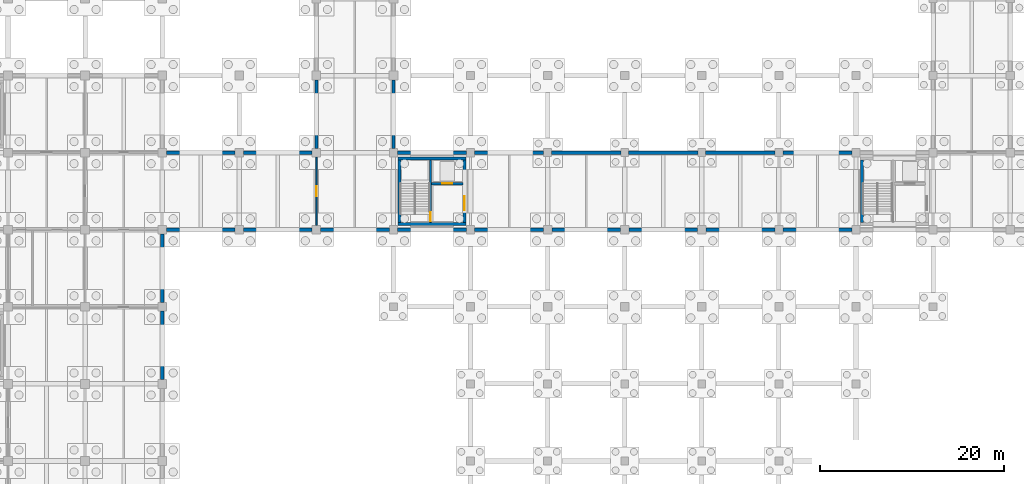
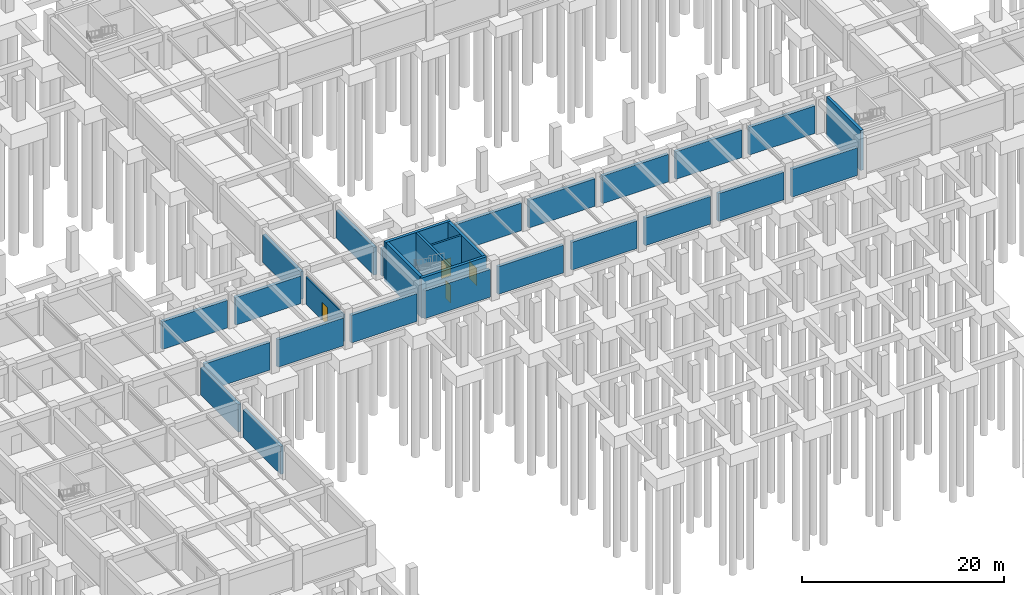
# One storey, part 19 of 29: 29 walls, 4 doors, 4 openings.
"""IFC4 building model written with IfcOpenShell, lengths in metres."""

from ifc_helpers import new_model, si_unit, direction, frame, frame_2d, origin, place, context, subcontext, project, spatial, rectangle, extrude, material, layer, layer_set, type_object, element, fill, save


model = new_model("IFC4")

# Units and contexts
model_context = context("Model", 3, precision=1e-05, world=origin(), true_north=direction((0.0, 1.0)))
body_context = subcontext(model_context, "Body", "Model", "MODEL_VIEW")
ifc_project = project(units=[si_unit("LENGTHUNIT", "METRE"), si_unit("AREAUNIT", "SQUARE_METRE"), si_unit("VOLUMEUNIT", "CUBIC_METRE"), si_unit("PLANEANGLEUNIT", "RADIAN"), si_unit("MASSUNIT", "GRAM", prefix="KILO")], contexts=[model_context])

# Site, building, storey
site_placement = place(None, origin())
site = spatial("IfcSite", under=ifc_project, at=site_placement, CompositionType="ELEMENT")
building_placement = place(site_placement, origin())
building = spatial("IfcBuilding", under=site, at=building_placement, Name="Porcellanite Civic Hall", CompositionType="ELEMENT")
storey_placement = place(building_placement, frame((0.0, 0.0, -4.5)))
storey = spatial("IfcBuildingStorey", under=building, at=storey_placement, Name="B1", CompositionType="ELEMENT", Elevation=-4.5)

# Wall, opening, door
ifc_material_1 = material(Name="Concrete N40 (40 MPa)", Category="concrete")
ifc_layer_1 = layer(ifc_material_1, 0.239990234375)
ifc_layer_set_1 = layer_set([ifc_layer_1], Name="Concrete N40 (40 MPa)")
wall_type_1 = type_object("IfcWallType", Name="CW-SH240", PredefinedType="SHEAR", material=ifc_layer_set_1)
wall_1_placement = place(storey_placement, frame((62.840087890625, 51.2099609375, -0.35009765625), z_axis=(0.0, 0.0, 1.0), x_axis=(0.0, 1.0, 0.0)))
wall_1 = element("IfcWall", 1, at=wall_1_placement, inside=storey, type_object=wall_type_1, Name="Core divider C5 B1", PredefinedType="SHEAR", context=body_context, shape_type="SweptSolid", body=[
    extrude(rectangle(XDim=6.780029296875, YDim=0.239990234375, at=frame_2d((3.39013671875, 0.0))), origin(), (0.0, 0.0, 1.0), 4.85009765625),
])
opening_1_placement = place(wall_1_placement, frame((0.1201171875, 0.0, 0.35009765625)))
opening_1 = element("IfcOpeningElement", 2, at=opening_1_placement, cuts=wall_1, Name="Opening FD-C5-B1-ST", PredefinedType="OPENING", context=body_context, shape_type="SweptSolid", body=[
    extrude(rectangle(XDim=1.0, YDim=2.14990234375, at=frame_2d((0.5, 1.074951171875))), frame((0.0, 0.1201171875, 0.0), z_axis=(0.0, -1.0, 0.0), x_axis=(1.0, 0.0, 0.0)), (0.0, 0.0, 1.0), 0.239990234375),
])
ifc_material_2 = material(Name="Fire-rated solid-core hardwood timber", Category="wood")
door_type_1 = type_object("IfcDoorType", Name="DR-FD100", OperationType="NOTDEFINED", PredefinedType="DOOR", material=ifc_material_2)
door_1_placement = place(opening_1_placement, origin())
door_1 = element("IfcDoor", 3, at=door_1_placement, inside=storey, type_object=door_type_1, Name="Fire stair door FD-C5-B1-ST", OperationType="SINGLE_SWING_RIGHT", OverallHeight=2.14990234375, OverallWidth=1.0, PredefinedType="DOOR", context=body_context, shape_type="SweptSolid", body=[
    extrude(rectangle(XDim=1.0, YDim=2.14990234375, at=frame_2d((0.5, 1.074951171875))), frame((0.0, 0.02490234375, 0.0), z_axis=(0.0, -1.0, 0.0), x_axis=(1.0, 0.0, 0.0)), (0.0, 0.0, 1.0), 0.050048828125),
])
fill(opening_1, door_1)

wall_2_placement = place(storey_placement, frame((62.9599609375, 55.419921875, -0.35009765625), z_axis=(0.0, 0.0, 1.0), x_axis=(1.0, 0.0, 0.0)))
wall_2 = element("IfcWall", 4, at=wall_2_placement, inside=storey, type_object=wall_type_1, Name="Lift shaft wall C5 B1", PredefinedType="SHEAR", context=body_context, shape_type="SweptSolid", body=[
    extrude(rectangle(XDim=3.429931640625, YDim=0.239990234375, at=frame_2d((1.71484375, 0.0))), origin(), (0.0, 0.0, 1.0), 4.85009765625),
])
opening_2_placement = place(wall_2_placement, frame((1.1650390625, 0.0, 0.35009765625)))
opening_2 = element("IfcOpeningElement", 5, at=opening_2_placement, cuts=wall_2, Name="Opening LD-05", PredefinedType="OPENING", context=body_context, shape_type="SweptSolid", body=[
    extrude(rectangle(XDim=1.10009765625, YDim=2.14990234375, at=frame_2d((0.550048828125, 1.074951171875))), frame((0.0, 0.1201171875, 0.0), z_axis=(0.0, -1.0, 0.0), x_axis=(1.0, 0.0, 0.0)), (0.0, 0.0, 1.0), 0.239990234375),
])
ifc_material_3 = material(Name="Brushed stainless steel 316", Category="steel")
door_type_2 = type_object("IfcDoorType", Name="DR-LD110", OperationType="DOUBLE_DOOR_SLIDING", PredefinedType="DOOR", material=ifc_material_3)
door_2_placement = place(opening_2_placement, origin())
door_2 = element("IfcDoor", 6, at=door_2_placement, inside=storey, type_object=door_type_2, Name="Lift landing sliding door LD-05 B1", OperationType="DOUBLE_DOOR_SLIDING", OverallHeight=2.14990234375, OverallWidth=1.10009765625, PredefinedType="DOOR", context=body_context, shape_type="SweptSolid", body=[
    extrude(rectangle(XDim=1.10009765625, YDim=2.14990234375, at=frame_2d((0.550048828125, 1.074951171875))), frame((0.0, 0.02490234375, 0.0), z_axis=(0.0, -1.0, 0.0), x_axis=(1.0, 0.0, 0.0)), (0.0, 0.0, 1.0), 0.050048828125),
])
fill(opening_2, door_2)

# Walls
ifc_material_4 = material(Name="Concrete N40 (40 MPa)", Category="concrete")
ifc_layer_2 = layer(ifc_material_4, 0.330078125)
ifc_layer_set_2 = layer_set([ifc_layer_2], Name="Concrete N40 (40 MPa)")
wall_type_2 = type_object("IfcWallType", Name="CW-SH330", PredefinedType="SHEAR", material=ifc_layer_set_2)
wall_3_placement = place(storey_placement, frame((66.719970703125, 51.044921875, -0.35009765625), z_axis=(0.0, 0.0, 1.0), x_axis=(-1.0, 0.0, 0.0)))
element("IfcWall", 7, at=wall_3_placement, inside=storey, type_object=wall_type_2, Name="Core wall C5 B1 S", PredefinedType="SHEAR", context=body_context, shape_type="SweptSolid", body=[
    extrude(rectangle(XDim=7.43994140625, YDim=0.330078125, at=frame_2d((3.719970703125, 0.0))), origin(), (0.0, 0.0, 1.0), 4.85009765625),
])
wall_4_placement = place(storey_placement, frame((59.445068359375, 51.2099609375, -0.35009765625), z_axis=(0.0, 0.0, 1.0), x_axis=(0.0, 1.0, 0.0)))
element("IfcWall", 8, at=wall_4_placement, inside=storey, type_object=wall_type_2, Name="Core wall C5 B1 W", PredefinedType="SHEAR", context=body_context, shape_type="SweptSolid", body=[
    extrude(rectangle(XDim=6.780029296875, YDim=0.330078125, at=frame_2d((3.39013671875, 0.0))), origin(), (0.0, 0.0, 1.0), 4.85009765625),
])
wall_5_placement = place(storey_placement, frame((59.280029296875, 58.155029296875, -0.35009765625), z_axis=(0.0, 0.0, 1.0), x_axis=(1.0, 0.0, 0.0)))
element("IfcWall", 9, at=wall_5_placement, inside=storey, type_object=wall_type_2, Name="Core wall C5 B1 N", PredefinedType="SHEAR", context=body_context, shape_type="SweptSolid", body=[
    extrude(rectangle(XDim=7.43994140625, YDim=0.330078125, at=frame_2d((3.719970703125, 0.0))), origin(), (0.0, 0.0, 1.0), 4.85009765625),
])

# Wall, opening, door
wall_6_placement = place(storey_placement, frame((66.554931640625, 57.989990234375, -0.35009765625), z_axis=(0.0, 0.0, 1.0), x_axis=(0.0, -1.0, 0.0)))
wall_6 = element("IfcWall", 10, at=wall_6_placement, inside=storey, type_object=wall_type_2, Name="Core wall C5 B1 E", PredefinedType="SHEAR", context=body_context, shape_type="SweptSolid", body=[
    extrude(rectangle(XDim=6.780029296875, YDim=0.330078125, at=frame_2d((3.39013671875, 0.0))), origin(), (0.0, 0.0, 1.0), 4.85009765625),
])
opening_3_placement = place(wall_6_placement, frame((3.93994140625, 0.0, 0.35009765625)))
opening_3 = element("IfcOpeningElement", 11, at=opening_3_placement, cuts=wall_6, Name="Opening FD-C5-B1-LB", PredefinedType="OPENING", context=body_context, shape_type="SweptSolid", body=[
    extrude(rectangle(XDim=1.5, YDim=2.14990234375, at=frame_2d((0.75, 1.074951171875))), frame((0.0, 0.1650390625, 0.0), z_axis=(0.0, -1.0, 0.0), x_axis=(1.0, 0.0, 0.0)), (0.0, 0.0, 1.0), 0.330078125),
])
ifc_material_5 = material(Name="Fire-rated steel and Georgian wired glass", Category="steel")
door_type_3 = type_object("IfcDoorType", Name="DR-FD150", OperationType="DOUBLE_DOOR_SINGLE_SWING", PredefinedType="DOOR", material=ifc_material_5)
door_3_placement = place(opening_3_placement, origin())
door_3 = element("IfcDoor", 12, at=door_3_placement, inside=storey, type_object=door_type_3, Name="Fire lobby double door FD-C5-B1-LB", OperationType="DOUBLE_DOOR_SINGLE_SWING", OverallHeight=2.14990234375, OverallWidth=1.5, PredefinedType="DOOR", context=body_context, shape_type="SweptSolid", body=[
    extrude(rectangle(XDim=1.5, YDim=2.14990234375, at=frame_2d((0.75, 1.074951171875))), frame((0.0, 0.02490234375, 0.0), z_axis=(0.0, -1.0, 0.0), x_axis=(1.0, 0.0, 0.0)), (0.0, 0.0, 1.0), 0.050048828125),
])
fill(opening_3, door_3)

# Walls
wall_7_placement = place(storey_placement, frame((109.844970703125, 51.2099609375, -0.35009765625), z_axis=(0.0, 0.0, 1.0), x_axis=(0.0, 1.0, 0.0)))
element("IfcWall", 13, at=wall_7_placement, inside=storey, type_object=wall_type_2, Name="Core wall C6 B1 W", PredefinedType="SHEAR", context=body_context, shape_type="SweptSolid", body=[
    extrude(rectangle(XDim=6.780029296875, YDim=0.330078125, at=frame_2d((3.39013671875, 0.0))), origin(), (0.0, 0.0, 1.0), 4.85009765625),
])
ifc_material_6 = material(Name="Concrete N40 (40 MPa)", Category="concrete")
ifc_layer_3 = layer(ifc_material_6, 0.35009765625)
ifc_layer_set_3 = layer_set([ifc_layer_3], Name="Concrete N40 (40 MPa)")
wall_type_3 = type_object("IfcWallType", Name="EW-BSM350", PredefinedType="SOLIDWALL", material=ifc_layer_set_3)
for number, where, z_axis, x_axis, name in (
    (14, (33.60009765625, 41.52392578125, 0.0), (0.0, 0.0, 1.0), (0.0, -1.0, 0.0), "Exterior wall B1 E 4-5"),
    (15, (33.60009765625, 49.924072265625, 0.0), (0.0, 0.0, 1.0), (0.0, -1.0, 0.0), "Exterior wall B1 E 4-6"),
):
    element("IfcWall", number, at=place(storey_placement, frame(where, z_axis=z_axis, x_axis=x_axis)), inside=storey, type_object=wall_type_3, Name=name, PredefinedType="SOLIDWALL", context=body_context, shape_type="SweptSolid", body=[
        extrude(rectangle(XDim=7.447998046875, YDim=0.35009765625, at=frame_2d((3.72412109375, 0.0))), origin(), (0.0, 0.0, 1.0), 3.35009765625),
    ])
for number, where, z_axis, x_axis, name in (
    (16, (41.549072265625, 50.39990234375, 0.0), (0.0, 0.0, 1.0), (-1.0, 0.0, 0.0), "Exterior wall B1 S 5-7"),
    (17, (34.075927734375, 58.800048828125, 0.0), (0.0, 0.0, 1.0), (1.0, 0.0, 0.0), "Exterior wall B1 N 5-7"),
):
    element("IfcWall", number, at=place(storey_placement, frame(where, z_axis=z_axis, x_axis=x_axis)), inside=storey, type_object=wall_type_3, Name=name, PredefinedType="SOLIDWALL", context=body_context, shape_type="SweptSolid", body=[
        extrude(rectangle(XDim=7.47314453125, YDim=0.35009765625, at=frame_2d((3.736572265625, 0.0))), origin(), (0.0, 0.0, 1.0), 3.35009765625),
    ])
for number, where, z_axis, x_axis, name in (
    (18, (49.948974609375, 50.39990234375, 0.0), (0.0, 0.0, 1.0), (-1.0, 0.0, 0.0), "Exterior wall B1 S 6-7"),
    (19, (42.450927734375, 58.800048828125, 0.0), (0.0, 0.0, 1.0), (1.0, 0.0, 0.0), "Exterior wall B1 N 6-7"),
    (20, (58.34912109375, 50.39990234375, 0.0), (0.0, 0.0, 1.0), (-1.0, 0.0, 0.0), "Exterior wall B1 S 7-7"),
):
    element("IfcWall", number, at=place(storey_placement, frame(where, z_axis=z_axis, x_axis=x_axis)), inside=storey, type_object=wall_type_3, Name=name, PredefinedType="SOLIDWALL", context=body_context, shape_type="SweptSolid", body=[
        extrude(rectangle(XDim=7.498046875, YDim=0.35009765625, at=frame_2d((3.7490234375, 0.0))), origin(), (0.0, 0.0, 1.0), 3.35009765625),
    ])
for number, where, z_axis, x_axis, name in (
    (21, (50.39990234375, 59.2509765625, 0.0), (0.0, 0.0, 1.0), (0.0, 1.0, 0.0), "Exterior wall B1 W 7-8"),
    (22, (58.800048828125, 66.72412109375, 0.0), (0.0, 0.0, 1.0), (0.0, -1.0, 0.0), "Exterior wall B1 E 7-8"),
):
    element("IfcWall", number, at=place(storey_placement, frame(where, z_axis=z_axis, x_axis=x_axis)), inside=storey, type_object=wall_type_3, Name=name, PredefinedType="SOLIDWALL", context=body_context, shape_type="SweptSolid", body=[
        extrude(rectangle(XDim=7.47314453125, YDim=0.35009765625, at=frame_2d((3.736572265625, 0.0))), origin(), (0.0, 0.0, 1.0), 3.35009765625),
    ])
for number, where, z_axis, x_axis, name in (
    (23, (66.7490234375, 50.39990234375, 0.0), (0.0, 0.0, 1.0), (-1.0, 0.0, 0.0), "Exterior wall B1 S 8-7"),
    (24, (59.2509765625, 58.800048828125, 0.0), (0.0, 0.0, 1.0), (1.0, 0.0, 0.0), "Exterior wall B1 N 8-7"),
    (25, (75.14892578125, 50.39990234375, 0.0), (0.0, 0.0, 1.0), (-1.0, 0.0, 0.0), "Exterior wall B1 S 9-7"),
):
    element("IfcWall", number, at=place(storey_placement, frame(where, z_axis=z_axis, x_axis=x_axis)), inside=storey, type_object=wall_type_3, Name=name, PredefinedType="SOLIDWALL", context=body_context, shape_type="SweptSolid", body=[
        extrude(rectangle(XDim=7.498046875, YDim=0.35009765625, at=frame_2d((3.7490234375, 0.0))), origin(), (0.0, 0.0, 1.0), 3.35009765625),
    ])
wall_8_placement = place(storey_placement, frame((67.65087890625, 58.800048828125, 0.0), z_axis=(0.0, 0.0, 1.0), x_axis=(1.0, 0.0, 0.0)))
element("IfcWall", 26, at=wall_8_placement, inside=storey, type_object=wall_type_3, Name="Exterior wall B1 N 9-7", PredefinedType="SOLIDWALL", context=body_context, shape_type="SweptSolid", body=[
    extrude(rectangle(XDim=7.523193359375, YDim=0.35009765625, at=frame_2d((3.76171875, 0.0))), origin(), (0.0, 0.0, 1.0), 3.35009765625),
])
wall_9_placement = place(storey_placement, frame((83.549072265625, 50.39990234375, 0.0), z_axis=(0.0, 0.0, 1.0), x_axis=(-1.0, 0.0, 0.0)))
element("IfcWall", 27, at=wall_9_placement, inside=storey, type_object=wall_type_3, Name="Exterior wall B1 S 10-7", PredefinedType="SOLIDWALL", context=body_context, shape_type="SweptSolid", body=[
    extrude(rectangle(XDim=7.498046875, YDim=0.35009765625, at=frame_2d((3.7490234375, 0.0))), origin(), (0.0, 0.0, 1.0), 3.35009765625),
])
wall_10_placement = place(storey_placement, frame((76.02587890625, 58.800048828125, 0.0), z_axis=(0.0, 0.0, 1.0), x_axis=(1.0, 0.0, 0.0)))
element("IfcWall", 28, at=wall_10_placement, inside=storey, type_object=wall_type_3, Name="Exterior wall B1 N 10-7", PredefinedType="SOLIDWALL", context=body_context, shape_type="SweptSolid", body=[
    extrude(rectangle(XDim=7.548095703125, YDim=0.35009765625, at=frame_2d((3.77392578125, 0.0))), origin(), (0.0, 0.0, 1.0), 3.35009765625),
])
wall_11_placement = place(storey_placement, frame((91.948974609375, 50.39990234375, 0.0), z_axis=(0.0, 0.0, 1.0), x_axis=(-1.0, 0.0, 0.0)))
element("IfcWall", 29, at=wall_11_placement, inside=storey, type_object=wall_type_3, Name="Exterior wall B1 S 11-7", PredefinedType="SOLIDWALL", context=body_context, shape_type="SweptSolid", body=[
    extrude(rectangle(XDim=7.498046875, YDim=0.35009765625, at=frame_2d((3.7490234375, 0.0))), origin(), (0.0, 0.0, 1.0), 3.35009765625),
])
wall_12_placement = place(storey_placement, frame((84.426025390625, 58.800048828125, 0.0), z_axis=(0.0, 0.0, 1.0), x_axis=(1.0, 0.0, 0.0)))
element("IfcWall", 30, at=wall_12_placement, inside=storey, type_object=wall_type_3, Name="Exterior wall B1 N 11-7", PredefinedType="SOLIDWALL", context=body_context, shape_type="SweptSolid", body=[
    extrude(rectangle(XDim=7.548095703125, YDim=0.35009765625, at=frame_2d((3.77392578125, 0.0))), origin(), (0.0, 0.0, 1.0), 3.35009765625),
])
wall_13_placement = place(storey_placement, frame((100.34912109375, 50.39990234375, 0.0), z_axis=(0.0, 0.0, 1.0), x_axis=(-1.0, 0.0, 0.0)))
element("IfcWall", 31, at=wall_13_placement, inside=storey, type_object=wall_type_3, Name="Exterior wall B1 S 12-7", PredefinedType="SOLIDWALL", context=body_context, shape_type="SweptSolid", body=[
    extrude(rectangle(XDim=7.498046875, YDim=0.35009765625, at=frame_2d((3.7490234375, 0.0))), origin(), (0.0, 0.0, 1.0), 3.35009765625),
])
wall_14_placement = place(storey_placement, frame((92.825927734375, 58.800048828125, 0.0), z_axis=(0.0, 0.0, 1.0), x_axis=(1.0, 0.0, 0.0)))
element("IfcWall", 32, at=wall_14_placement, inside=storey, type_object=wall_type_3, Name="Exterior wall B1 N 12-7", PredefinedType="SOLIDWALL", context=body_context, shape_type="SweptSolid", body=[
    extrude(rectangle(XDim=7.548095703125, YDim=0.35009765625, at=frame_2d((3.77392578125, 0.0))), origin(), (0.0, 0.0, 1.0), 3.35009765625),
])
wall_15_placement = place(storey_placement, frame((108.7490234375, 50.39990234375, 0.0), z_axis=(0.0, 0.0, 1.0), x_axis=(-1.0, 0.0, 0.0)))
element("IfcWall", 33, at=wall_15_placement, inside=storey, type_object=wall_type_3, Name="Exterior wall B1 S 13-7", PredefinedType="SOLIDWALL", context=body_context, shape_type="SweptSolid", body=[
    extrude(rectangle(XDim=7.498046875, YDim=0.35009765625, at=frame_2d((3.7490234375, 0.0))), origin(), (0.0, 0.0, 1.0), 3.35009765625),
])
wall_16_placement = place(storey_placement, frame((101.22607421875, 58.800048828125, 0.0), z_axis=(0.0, 0.0, 1.0), x_axis=(1.0, 0.0, 0.0)))
element("IfcWall", 34, at=wall_16_placement, inside=storey, type_object=wall_type_3, Name="Exterior wall B1 N 13-7", PredefinedType="SOLIDWALL", context=body_context, shape_type="SweptSolid", body=[
    extrude(rectangle(XDim=7.52294921875, YDim=0.35009765625, at=frame_2d((3.761474609375, 0.0))), origin(), (0.0, 0.0, 1.0), 3.35009765625),
])

# Wall, opening, door
ifc_material_7 = material(Name="Fire-rated plasterboard on light-gauge steel studs", Category="steel")
ifc_layer_4 = layer(ifc_material_7, 0.14794921875)
ifc_layer_set_4 = layer_set([ifc_layer_4], Name="Fire-rated plasterboard on light-gauge steel studs")
wall_type_4 = type_object("IfcWallType", Name="IW-FR148", PredefinedType="PARTITIONING", material=ifc_layer_set_4)
wall_17_placement = place(storey_placement, frame((50.39990234375, 50.85205078125, 0.0), z_axis=(0.0, 0.0, 1.0), x_axis=(0.0, 1.0, 0.0)))
wall_17 = element("IfcWall", 35, at=wall_17_placement, inside=storey, type_object=wall_type_4, Name="Fire compartment wall B1 V 6-7", PredefinedType="PARTITIONING", context=body_context, shape_type="SweptSolid", body=[
    extrude(rectangle(XDim=7.495849609375, YDim=0.14794921875, at=frame_2d((3.748046875, 0.0))), origin(), (0.0, 0.0, 1.0), 3.27001953125),
])
opening_4_placement = place(wall_17_placement, frame((3.197998046875, 0.0, 0.0)))
opening_4 = element("IfcOpeningElement", 36, at=opening_4_placement, cuts=wall_17, Name="Opening D-B1-018", PredefinedType="OPENING", context=body_context, shape_type="SweptSolid", body=[
    extrude(rectangle(XDim=1.10009765625, YDim=2.14990234375, at=frame_2d((0.550048828125, 1.074951171875))), frame((0.0, 0.073974609375, 0.0), z_axis=(0.0, -1.0, 0.0), x_axis=(1.0, 0.0, 0.0)), (0.0, 0.0, 1.0), 0.14794921875),
])
ifc_material_8 = material(Name="Fire-rated solid-core hardwood timber", Category="wood")
door_type_4 = type_object("IfcDoorType", Name="DR-FD110", OperationType="NOTDEFINED", PredefinedType="DOOR", material=ifc_material_8)
door_4_placement = place(opening_4_placement, origin())
door_4 = element("IfcDoor", 37, at=door_4_placement, inside=storey, type_object=door_type_4, Name="Interior door D-B1-018", OperationType="SINGLE_SWING_LEFT", OverallHeight=2.14990234375, OverallWidth=1.10009765625, PredefinedType="DOOR", context=body_context, shape_type="SweptSolid", body=[
    extrude(rectangle(XDim=1.10009765625, YDim=2.14990234375, at=frame_2d((0.550048828125, 1.074951171875))), frame((0.0, 0.02490234375, 0.0), z_axis=(0.0, -1.0, 0.0), x_axis=(1.0, 0.0, 0.0)), (0.0, 0.0, 1.0), 0.050048828125),
])
fill(opening_4, door_4)

save(model, "model.ifc")
